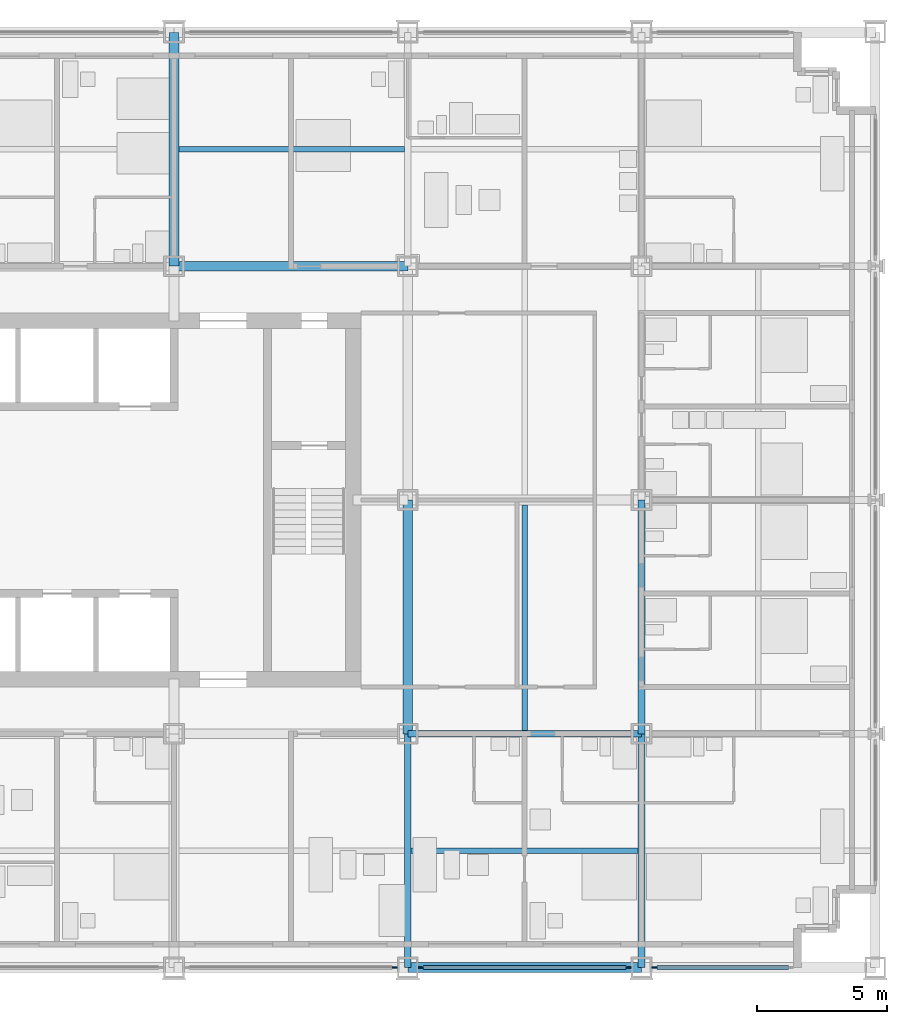
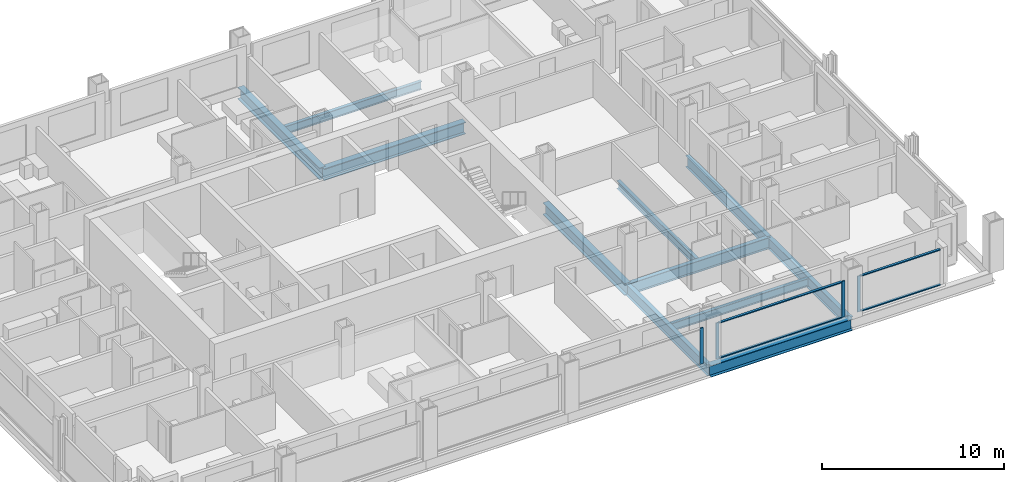
# One storey, part 5 of 18: 11 beams, 8 members, 3 elements without a shape of their own.
"""IFC4 building model written with IfcOpenShell, lengths in metres."""

from ifc_helpers import new_model, si_unit, direction, frame, origin, origin_2d, place, context, subcontext, project, spatial, rectangle, i_section, extrude, material, material_profile, profile_set, type_object, element, aggregate, save


model = new_model("IFC4")

# Units and contexts
model_context = context("Model", 3, precision=1e-05, world=origin(), true_north=direction((0.0, 1.0)))
body_context = subcontext(model_context, "Body", "Model", "MODEL_VIEW")
ifc_project = project(units=[si_unit("LENGTHUNIT", "METRE"), si_unit("AREAUNIT", "SQUARE_METRE"), si_unit("VOLUMEUNIT", "CUBIC_METRE"), si_unit("PLANEANGLEUNIT", "RADIAN"), si_unit("MASSUNIT", "GRAM", prefix="KILO")], contexts=[model_context])

# Site, building, storey
site_placement = place(None, origin())
site = spatial("IfcSite", under=ifc_project, at=site_placement, CompositionType="ELEMENT")
building_placement = place(site_placement, origin())
building = spatial("IfcBuilding", under=site, at=building_placement, Name="Loomwork Tower", CompositionType="ELEMENT")
storey_placement = place(building_placement, frame((0.0, 0.0, 55.199951171875)))
storey = spatial("IfcBuildingStorey", under=building, at=storey_placement, Name="L13", CompositionType="ELEMENT", Elevation=55.199951171875)

# Beams
ifc_material_1 = material(Name="Steel ASTM A992", Category="steel")
ifc_material_profile_1 = material_profile(ifc_material_1, i_section(OverallWidth=0.383544921875, OverallDepth=0.794921875, WebThickness=0.02099609375, FlangeThickness=0.0380859375, at=origin_2d()), Name="W30x235")
ifc_profile_set_1 = profile_set([ifc_material_profile_1], Name="Steel ASTM A992")
beam_type_1 = type_object("IfcBeamType", Name="CORE FLANK GIRDER W30x235", PredefinedType="BEAM", material=ifc_profile_set_1)
for number, where, z_axis, x_axis, name in (
    (1, (27.0, 27.0, -0.597412109375), (1.0, 0.0, 0.0), (0.0, 1.0, 0.0), "Core Flank Girder G/5-G/6 L13"),
    (2, (27.0, 27.0, -0.597412109375), (0.0, 1.0, 0.0), (-1.0, 0.0, 0.0), "Core Flank Girder G/5-H/5 L13"),
    (3, (36.0, 9.0, -0.597412109375), (0.0, 1.0, 0.0), (-1.0, 0.0, 0.0), "Core Flank Girder E/6-F/6 L13"),
):
    element("IfcBeam", number, at=place(storey_placement, frame(where, z_axis=z_axis, x_axis=x_axis)), inside=storey, type_object=beam_type_1, Name=name, PredefinedType="BEAM", context=body_context, shape_type="SweptSolid", body=[
        extrude(i_section(OverallWidth=0.383544921875, OverallDepth=0.794921875, WebThickness=0.02099609375, FlangeThickness=0.0380859375, at=origin_2d()), origin(), (0.0, 0.0, 1.0), 9.0),
    ])
ifc_material_2 = material(Name="Steel ASTM A992", Category="steel")
ifc_material_profile_2 = material_profile(ifc_material_2, i_section(OverallWidth=0.2666015625, OverallDepth=0.761962890625, WebThickness=0.014404296875, FlangeThickness=0.021484375, at=origin_2d()), Name="W30x116")
ifc_profile_set_2 = profile_set([ifc_material_profile_2], Name="Steel ASTM A992")
beam_type_2 = type_object("IfcBeamType", Name="FLOOR GIRDER W30x116", PredefinedType="BEAM", material=ifc_profile_set_2)
for number, where, z_axis, x_axis, name in (
    (4, (36.0, 9.0, -0.5810546875), (1.0, 0.0, 0.0), (0.0, 1.0, 0.0), "Floor Girder E/6-E/7 L13"),
    (5, (36.0, 0.0, -0.5810546875), (0.0, 1.0, 0.0), (-1.0, 0.0, 0.0), "Floor Girder D/6-E/6 L13"),
    (6, (45.0, 0.0, -0.5810546875), (0.0, 1.0, 0.0), (-1.0, 0.0, 0.0), "Floor Girder D/7-E/7 L13"),
    (7, (45.0, 9.0, -0.5810546875), (0.0, 1.0, 0.0), (-1.0, 0.0, 0.0), "Floor Girder E/7-F/7 L13"),
):
    element("IfcBeam", number, at=place(storey_placement, frame(where, z_axis=z_axis, x_axis=x_axis)), inside=storey, type_object=beam_type_2, Name=name, PredefinedType="BEAM", context=body_context, shape_type="SweptSolid", body=[
        extrude(i_section(OverallWidth=0.2666015625, OverallDepth=0.761962890625, WebThickness=0.014404296875, FlangeThickness=0.021484375, at=origin_2d()), origin(), (0.0, 0.0, 1.0), 9.0),
    ])
ifc_material_3 = material(Name="Steel ASTM A992", Category="steel")
ifc_material_profile_3 = material_profile(ifc_material_3, i_section(OverallWidth=0.2109375, OverallDepth=0.53857421875, WebThickness=0.011474609375, FlangeThickness=0.018798828125, at=origin_2d()), Name="W21x73")
ifc_profile_set_3 = profile_set([ifc_material_profile_3], Name="Steel ASTM A992")
beam_type_3 = type_object("IfcBeamType", Name="FLOOR JOIST W21x73", PredefinedType="JOIST", material=ifc_profile_set_3)
beam_1_placement = place(storey_placement, frame((27.19091796875, 31.5, -0.46923828125), z_axis=(1.0, 0.0, 0.0), x_axis=(0.0, 1.0, 0.0)))
element("IfcBeam", 8, at=beam_1_placement, inside=storey, type_object=beam_type_3, Name="Floor Joist 27.000,31.500-36.000,31.500 L13", PredefinedType="JOIST", context=body_context, shape_type="SweptSolid", body=[
    extrude(i_section(OverallWidth=0.2109375, OverallDepth=0.53857421875, WebThickness=0.011474609375, FlangeThickness=0.018798828125, at=origin_2d()), origin(), (0.0, 0.0, 1.0), 8.676025390625),
])
beam_2_placement = place(storey_placement, frame((36.133056640625, 4.5, -0.46923828125), z_axis=(1.0, 0.0, 0.0), x_axis=(0.0, 1.0, 0.0)))
element("IfcBeam", 9, at=beam_2_placement, inside=storey, type_object=beam_type_3, Name="Floor Joist 36.000,4.500-45.000,4.500 L13", PredefinedType="JOIST", context=body_context, shape_type="SweptSolid", body=[
    extrude(i_section(OverallWidth=0.2109375, OverallDepth=0.53857421875, WebThickness=0.011474609375, FlangeThickness=0.018798828125, at=origin_2d()), origin(), (0.0, 0.0, 1.0), 8.73388671875),
])
beam_3_placement = place(storey_placement, frame((40.5, 9.133056640625, -0.46923828125), z_axis=(0.0, 1.0, 0.0), x_axis=(-1.0, 0.0, 0.0)))
element("IfcBeam", 10, at=beam_3_placement, inside=storey, type_object=beam_type_3, Name="Floor Joist 40.500,9.000-40.500,18.000 L13", PredefinedType="JOIST", context=body_context, shape_type="SweptSolid", body=[
    extrude(i_section(OverallWidth=0.2109375, OverallDepth=0.53857421875, WebThickness=0.011474609375, FlangeThickness=0.018798828125, at=origin_2d()), origin(), (0.0, 0.0, 1.0), 8.676025390625),
])

# Curtain wall, member
ifc_material_4 = material(Name="Aluminium curtain wall frame", Category="aluminium")
curtain_wall_type = type_object("IfcCurtainWallType", Name="Outer skin glazing hotel", PredefinedType="NOTDEFINED", material=ifc_material_4)
curtain_wall_1_placement = place(storey_placement, origin())
curtain_wall_1 = element("IfcCurtainWall", 11, at=curtain_wall_1_placement, inside=storey, type_object=curtain_wall_type, Name="Outer skin glazing hotel cw/S-27", PredefinedType="NOTDEFINED")
ifc_material_5 = material(Name="Aluminium curtain wall frame", Category="aluminium")
ifc_material_profile_4 = material_profile(ifc_material_5, rectangle(XDim=0.06494140625, YDim=0.199951171875, at=origin_2d()), Name="AL 65x200")
ifc_profile_set_4 = profile_set([ifc_material_profile_4], Name="Aluminium curtain wall frame")
member_type_1 = type_object("IfcMemberType", Name="Outer skin glazing hotel mullion", PredefinedType="MULLION", material=ifc_profile_set_4)
member_1_placement = place(storey_placement, frame((35.5, 0.0, 0.0), z_axis=(0.0, 0.0, 1.0), x_axis=(0.0, 1.0, 0.0)))
member_1 = element("IfcMember", 12, at=member_1_placement, type_object=member_type_1, Name="CW1 mullion 2", PredefinedType="MULLION", context=body_context, shape_type="SweptSolid", body=[
    extrude(rectangle(XDim=0.06494140625, YDim=0.199951171875, at=origin_2d()), origin(), (0.0, 0.0, 1.0), 2.420166015625),
])
aggregate(curtain_wall_1, [member_1])

# Curtain wall, members
curtain_wall_2_placement = place(storey_placement, origin())
curtain_wall_2 = element("IfcCurtainWall", 13, at=curtain_wall_2_placement, inside=storey, type_object=curtain_wall_type, Name="Outer skin glazing hotel cw/S-36", PredefinedType="NOTDEFINED")
member_2_placement = place(storey_placement, frame((36.5, 0.0, 0.0), z_axis=(0.0, 0.0, 1.0), x_axis=(0.0, 1.0, 0.0)))
member_2 = element("IfcMember", 14, at=member_2_placement, type_object=member_type_1, Name="CW1 mullion 1", PredefinedType="MULLION", context=body_context, shape_type="SweptSolid", body=[
    extrude(rectangle(XDim=0.06494140625, YDim=0.199951171875, at=origin_2d()), origin(), (0.0, 0.0, 1.0), 2.420166015625),
])
member_3_placement = place(storey_placement, frame((44.5, 0.0, 0.0), z_axis=(0.0, 0.0, 1.0), x_axis=(0.0, 1.0, 0.0)))
member_3 = element("IfcMember", 15, at=member_3_placement, type_object=member_type_1, Name="CW1 mullion 2", PredefinedType="MULLION", context=body_context, shape_type="SweptSolid", body=[
    extrude(rectangle(XDim=0.06494140625, YDim=0.199951171875, at=origin_2d()), origin(), (0.0, 0.0, 1.0), 2.420166015625),
])

# Curtain wall, member
curtain_wall_3_placement = place(storey_placement, origin())
curtain_wall_3 = element("IfcCurtainWall", 16, at=curtain_wall_3_placement, inside=storey, type_object=curtain_wall_type, Name="Outer skin glazing hotel cw/S-45", PredefinedType="NOTDEFINED")
member_4_placement = place(storey_placement, frame((45.5, 0.0, 0.0), z_axis=(0.0, 0.0, 1.0), x_axis=(0.0, 1.0, 0.0)))
member_4 = element("IfcMember", 17, at=member_4_placement, type_object=member_type_1, Name="CW1 mullion 1", PredefinedType="MULLION", context=body_context, shape_type="SweptSolid", body=[
    extrude(rectangle(XDim=0.06494140625, YDim=0.199951171875, at=origin_2d()), origin(), (0.0, 0.0, 1.0), 2.420166015625),
])

# Member
ifc_material_6 = material(Name="Aluminium curtain wall frame", Category="aluminium")
ifc_material_profile_5 = material_profile(ifc_material_6, rectangle(XDim=0.14990234375, YDim=0.06494140625, at=origin_2d()), Name="AL 65x150")
ifc_profile_set_5 = profile_set([ifc_material_profile_5], Name="Aluminium curtain wall frame")
member_type_2 = type_object("IfcMemberType", Name="Outer skin glazing hotel transom", PredefinedType="USERDEFINED", material=ifc_profile_set_5)
member_5_placement = place(storey_placement, frame((36.60009765625, 0.0, 0.032470703125), z_axis=(1.0, 0.0, 0.0), x_axis=(0.0, 1.0, 0.0)))
member_5 = element("IfcMember", 18, at=member_5_placement, type_object=member_type_2, Name="CW1 transom 1.1", ObjectType="TRANSOM", PredefinedType="USERDEFINED", context=body_context, shape_type="SweptSolid", body=[
    extrude(rectangle(XDim=0.14990234375, YDim=0.06494140625, at=origin_2d()), origin(), (0.0, 0.0, 1.0), 7.7998046875),
])

member_6_placement = place(storey_placement, frame((36.60009765625, 0.0, 2.3876953125), z_axis=(1.0, 0.0, 0.0), x_axis=(0.0, 1.0, 0.0)))
member_6 = element("IfcMember", 19, at=member_6_placement, type_object=member_type_2, Name="CW1 transom 1.2", ObjectType="TRANSOM", PredefinedType="USERDEFINED", context=body_context, shape_type="SweptSolid", body=[
    extrude(rectangle(XDim=0.14990234375, YDim=0.06494140625, at=origin_2d()), origin(), (0.0, 0.0, 1.0), 7.7998046875),
])

aggregate(curtain_wall_2, [member_2, member_3, member_5, member_6])

member_7_placement = place(storey_placement, frame((45.60009765625, 0.0, 0.032470703125), z_axis=(1.0, 0.0, 0.0), x_axis=(0.0, 1.0, 0.0)))
member_7 = element("IfcMember", 20, at=member_7_placement, type_object=member_type_2, Name="CW1 transom 1.1", ObjectType="TRANSOM", PredefinedType="USERDEFINED", context=body_context, shape_type="SweptSolid", body=[
    extrude(rectangle(XDim=0.14990234375, YDim=0.06494140625, at=origin_2d()), origin(), (0.0, 0.0, 1.0), 5.0498046875),
])

member_8_placement = place(storey_placement, frame((45.60009765625, 0.0, 2.3876953125), z_axis=(1.0, 0.0, 0.0), x_axis=(0.0, 1.0, 0.0)))
member_8 = element("IfcMember", 21, at=member_8_placement, type_object=member_type_2, Name="CW1 transom 1.2", ObjectType="TRANSOM", PredefinedType="USERDEFINED", context=body_context, shape_type="SweptSolid", body=[
    extrude(rectangle(XDim=0.14990234375, YDim=0.06494140625, at=origin_2d()), origin(), (0.0, 0.0, 1.0), 5.0498046875),
])

aggregate(curtain_wall_3, [member_4, member_7, member_8])

# Beam
ifc_material_7 = material(Name="Steel ASTM A992", Category="steel")
ifc_material_profile_6 = material_profile(ifc_material_7, i_section(OverallWidth=0.381103515625, OverallDepth=0.77978515625, WebThickness=0.01806640625, FlangeThickness=0.0302734375, at=origin_2d()), Name="W30x191")
ifc_profile_set_6 = profile_set([ifc_material_profile_6], Name="Steel ASTM A992")
beam_type_4 = type_object("IfcBeamType", Name="SPANDREL GIRDER W30x191", PredefinedType="SPANDREL", material=ifc_profile_set_6)
beam_4_placement = place(storey_placement, frame((36.0, 0.0, -0.58984375), z_axis=(1.0, 0.0, 0.0), x_axis=(0.0, 1.0, 0.0)))
element("IfcBeam", 22, at=beam_4_placement, inside=storey, type_object=beam_type_4, Name="Spandrel Girder D/6-D/7 L13", PredefinedType="SPANDREL", context=body_context, shape_type="SweptSolid", body=[
    extrude(i_section(OverallWidth=0.381103515625, OverallDepth=0.77978515625, WebThickness=0.01806640625, FlangeThickness=0.0302734375, at=origin_2d()), origin(), (0.0, 0.0, 1.0), 9.0),
])

save(model, "model.ifc")
